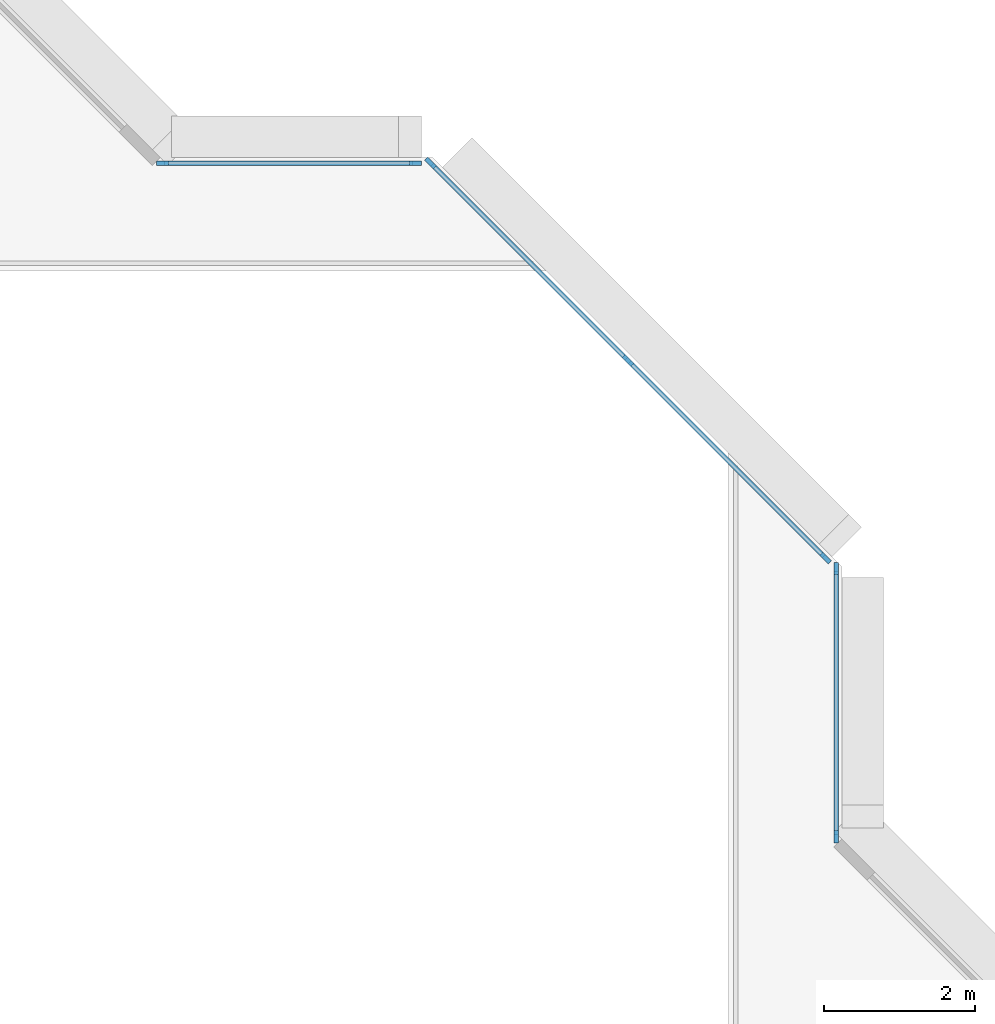
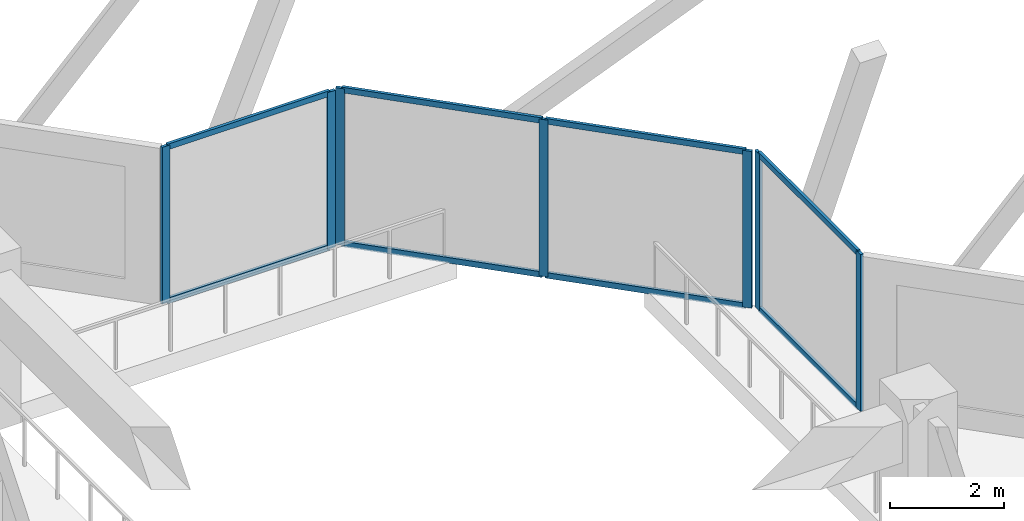
# One storey, part 2 of 15: 15 members, 3 elements without a shape of their own.
"""IFC4 building model written with IfcOpenShell, lengths in metres."""

from ifc_helpers import new_model, si_unit, direction, frame, origin, origin_2d, place, context, subcontext, project, spatial, rectangle, extrude, material, layer, layer_set, material_profile, profile_set, type_object, element, aggregate, save


model = new_model("IFC4")

# Units and contexts
model_context = context("Model", 3, precision=1e-05, world=origin(), true_north=direction((0.0, 1.0)))
body_context = subcontext(model_context, "Body", "Model", "MODEL_VIEW")
ifc_project = project(units=[si_unit("LENGTHUNIT", "METRE"), si_unit("AREAUNIT", "SQUARE_METRE"), si_unit("VOLUMEUNIT", "CUBIC_METRE"), si_unit("PLANEANGLEUNIT", "RADIAN"), si_unit("MASSUNIT", "GRAM", prefix="KILO")], contexts=[model_context])

# Site, building, storey
site_placement = place(None, origin())
site = spatial("IfcSite", under=ifc_project, at=site_placement, CompositionType="ELEMENT")
building_placement = place(site_placement, origin())
building = spatial("IfcBuilding", under=site, at=building_placement, Name="Chenar Terraces", CompositionType="ELEMENT")
storey_placement = place(building_placement, frame((0.0, 0.0, 106.89990234375)))
storey = spatial("IfcBuildingStorey", under=building, at=storey_placement, Name="L24", CompositionType="ELEMENT", Elevation=106.89990234375)

# Curtain wall, members
ifc_material_1 = material(Name="Aluminium framed glazing", Category="aluminium")
ifc_layer = layer(ifc_material_1, 0.14990234375)
ifc_layer_set = layer_set([ifc_layer], Name="Aluminium framed glazing")
curtain_wall_type = type_object("IfcCurtainWallType", Name="Atrium curtain wall", PredefinedType="NOTDEFINED", material=ifc_layer_set)
placement = place(storey_placement, origin())
curtain_wall_1 = element("IfcCurtainWall", 1, at=placement, inside=storey, type_object=curtain_wall_type, Name="Atrium curtain wall", PredefinedType="NOTDEFINED")
ifc_material_2 = material(Name="Aluminium", Category="aluminium")
ifc_material_profile_1 = material_profile(ifc_material_2, rectangle(XDim=0.06005859375, YDim=0.159912109375, at=origin_2d()), Name="Atrium glazing mullion 60 x 160")
ifc_profile_set_1 = profile_set([ifc_material_profile_1], Name="Aluminium")
member_type_1 = type_object("IfcMemberType", Name="Atrium glazing mullion 60 x 160", PredefinedType="MULLION", material=ifc_profile_set_1)
member_1_placement = place(storey_placement, frame((37.425048828125, 28.530029296875, 0.0), z_axis=(0.0, 0.0, 1.0), x_axis=(-1.0, 0.0, 0.0)))
member_1 = element("IfcMember", 2, at=member_1_placement, type_object=member_type_1, Name="CW1-1 mullion 1", PredefinedType="MULLION", context=body_context, shape_type="SweptSolid", body=[
    extrude(rectangle(XDim=0.06005859375, YDim=0.159912109375, at=origin_2d()), origin(), (0.0, 0.0, 1.0), 3.35009765625),
])
member_2_placement = place(storey_placement, frame((37.425048828125, 32.070068359375, 0.0), z_axis=(0.0, 0.0, 1.0), x_axis=(-1.0, 0.0, 0.0)))
member_2 = element("IfcMember", 3, at=member_2_placement, type_object=member_type_1, Name="CW1-1 mullion 2", PredefinedType="MULLION", context=body_context, shape_type="SweptSolid", body=[
    extrude(rectangle(XDim=0.06005859375, YDim=0.159912109375, at=origin_2d()), origin(), (0.0, 0.0, 1.0), 3.35009765625),
])

curtain_wall_2 = element("IfcCurtainWall", 4, at=placement, inside=storey, type_object=curtain_wall_type, Name="Atrium curtain wall", PredefinedType="NOTDEFINED")
member_3_placement = place(storey_placement, frame((37.284423828125, 32.209716796875, 0.0), z_axis=(0.0, 0.0, 1.0), x_axis=(-0.707106781187, -0.707106781187, 0.0)))
member_3 = element("IfcMember", 5, at=member_3_placement, type_object=member_type_1, Name="CW1-2 mullion 1", PredefinedType="MULLION", context=body_context, shape_type="SweptSolid", body=[
    extrude(rectangle(XDim=0.06005859375, YDim=0.159912109375, at=origin_2d()), origin(), (0.0, 0.0, 1.0), 3.35009765625),
])
member_4_placement = place(storey_placement, frame((34.67626953125, 34.817626953125, 0.0), z_axis=(0.0, 0.0, 1.0), x_axis=(-0.707106781187, -0.707106781187, 0.0)))
member_4 = element("IfcMember", 6, at=member_4_placement, type_object=member_type_1, Name="CW1-2 mullion 2", PredefinedType="MULLION", context=body_context, shape_type="SweptSolid", body=[
    extrude(rectangle(XDim=0.06005859375, YDim=0.159912109375, at=origin_2d()), origin(), (0.0, 0.0, 1.0), 3.35009765625),
])
member_5_placement = place(storey_placement, frame((32.068115234375, 37.42578125, 0.0), z_axis=(0.0, 0.0, 1.0), x_axis=(-0.707106781187, -0.707106781187, 0.0)))
member_5 = element("IfcMember", 7, at=member_5_placement, type_object=member_type_1, Name="CW1-2 mullion 3", PredefinedType="MULLION", context=body_context, shape_type="SweptSolid", body=[
    extrude(rectangle(XDim=0.06005859375, YDim=0.159912109375, at=origin_2d()), origin(), (0.0, 0.0, 1.0), 3.35009765625),
])

curtain_wall_3 = element("IfcCurtainWall", 8, at=placement, inside=storey, type_object=curtain_wall_type, Name="Atrium curtain wall", PredefinedType="NOTDEFINED")
member_6_placement = place(storey_placement, frame((31.8701171875, 37.425048828125, 0.0), z_axis=(0.0, 0.0, 1.0), x_axis=(0.0, -1.0, 0.0)))
member_6 = element("IfcMember", 9, at=member_6_placement, type_object=member_type_1, Name="CW1-3 mullion 1", PredefinedType="MULLION", context=body_context, shape_type="SweptSolid", body=[
    extrude(rectangle(XDim=0.06005859375, YDim=0.159912109375, at=origin_2d()), origin(), (0.0, 0.0, 1.0), 3.35009765625),
])
member_7_placement = place(storey_placement, frame((28.530029296875, 37.425048828125, 0.0), z_axis=(0.0, 0.0, 1.0), x_axis=(0.0, -1.0, 0.0)))
member_7 = element("IfcMember", 10, at=member_7_placement, type_object=member_type_1, Name="CW1-3 mullion 2", PredefinedType="MULLION", context=body_context, shape_type="SweptSolid", body=[
    extrude(rectangle(XDim=0.06005859375, YDim=0.159912109375, at=origin_2d()), origin(), (0.0, 0.0, 1.0), 3.35009765625),
])

# Member
ifc_material_3 = material(Name="Aluminium", Category="aluminium")
ifc_material_profile_2 = material_profile(ifc_material_3, rectangle(XDim=0.06005859375, YDim=0.1201171875, at=origin_2d()), Name="Atrium glazing transom 60 x 120")
ifc_profile_set_2 = profile_set([ifc_material_profile_2], Name="Aluminium")
member_type_2 = type_object("IfcMemberType", Name="Atrium glazing transom 60 x 120", PredefinedType="USERDEFINED", material=ifc_profile_set_2)
member_8_placement = place(storey_placement, frame((37.425048828125, 28.56005859375, 0.030029296875), z_axis=(0.0, 1.0, 0.0), x_axis=(-1.0, 0.0, 0.0)))
member_8 = element("IfcMember", 11, at=member_8_placement, type_object=member_type_2, Name="CW1-1 transom 1.1", ObjectType="TRANSOM", PredefinedType="USERDEFINED", context=body_context, shape_type="SweptSolid", body=[
    extrude(rectangle(XDim=0.06005859375, YDim=0.1201171875, at=origin_2d()), origin(), (0.0, 0.0, 1.0), 3.47998046875),
])

member_9_placement = place(storey_placement, frame((37.425048828125, 28.56005859375, 3.320068359375), z_axis=(0.0, 1.0, 0.0), x_axis=(-1.0, 0.0, 0.0)))
member_9 = element("IfcMember", 12, at=member_9_placement, type_object=member_type_2, Name="CW1-1 transom 1.2", ObjectType="TRANSOM", PredefinedType="USERDEFINED", context=body_context, shape_type="SweptSolid", body=[
    extrude(rectangle(XDim=0.06005859375, YDim=0.1201171875, at=origin_2d()), origin(), (0.0, 0.0, 1.0), 3.47998046875),
])

aggregate(curtain_wall_1, [member_1, member_2, member_8, member_9])

member_10_placement = place(storey_placement, frame((37.26318359375, 32.230712890625, 0.030029296875), z_axis=(-0.707106781187, 0.707106781187, 0.0), x_axis=(-0.707106781187, -0.707106781187, 0.0)))
member_10 = element("IfcMember", 13, at=member_10_placement, type_object=member_type_2, Name="CW1-2 transom 1.1", ObjectType="TRANSOM", PredefinedType="USERDEFINED", context=body_context, shape_type="SweptSolid", body=[
    extrude(rectangle(XDim=0.06005859375, YDim=0.1201171875, at=origin_2d()), origin(), (0.0, 0.0, 1.0), 3.62841796875),
])

member_11_placement = place(storey_placement, frame((37.26318359375, 32.230712890625, 3.320068359375), z_axis=(-0.707106781187, 0.707106781187, 0.0), x_axis=(-0.707106781187, -0.707106781187, 0.0)))
member_11 = element("IfcMember", 14, at=member_11_placement, type_object=member_type_2, Name="CW1-2 transom 1.2", ObjectType="TRANSOM", PredefinedType="USERDEFINED", context=body_context, shape_type="SweptSolid", body=[
    extrude(rectangle(XDim=0.06005859375, YDim=0.1201171875, at=origin_2d()), origin(), (0.0, 0.0, 1.0), 3.62841796875),
])

member_12_placement = place(storey_placement, frame((34.655029296875, 34.8388671875, 0.030029296875), z_axis=(-0.707106781187, 0.707106781187, 0.0), x_axis=(-0.707106781187, -0.707106781187, 0.0)))
member_12 = element("IfcMember", 15, at=member_12_placement, type_object=member_type_2, Name="CW1-2 transom 2.1", ObjectType="TRANSOM", PredefinedType="USERDEFINED", context=body_context, shape_type="SweptSolid", body=[
    extrude(rectangle(XDim=0.06005859375, YDim=0.1201171875, at=origin_2d()), origin(), (0.0, 0.0, 1.0), 3.62841796875),
])

member_13_placement = place(storey_placement, frame((34.655029296875, 34.8388671875, 3.320068359375), z_axis=(-0.707106781187, 0.707106781187, 0.0), x_axis=(-0.707106781187, -0.707106781187, 0.0)))
member_13 = element("IfcMember", 16, at=member_13_placement, type_object=member_type_2, Name="CW1-2 transom 2.2", ObjectType="TRANSOM", PredefinedType="USERDEFINED", context=body_context, shape_type="SweptSolid", body=[
    extrude(rectangle(XDim=0.06005859375, YDim=0.1201171875, at=origin_2d()), origin(), (0.0, 0.0, 1.0), 3.62841796875),
])

aggregate(curtain_wall_2, [member_3, member_4, member_5, member_10, member_11, member_12, member_13])

member_14_placement = place(storey_placement, frame((31.840087890625, 37.425048828125, 0.030029296875), z_axis=(-1.0, 0.0, 0.0), x_axis=(0.0, -1.0, 0.0)))
member_14 = element("IfcMember", 17, at=member_14_placement, type_object=member_type_2, Name="CW1-3 transom 1.1", ObjectType="TRANSOM", PredefinedType="USERDEFINED", context=body_context, shape_type="SweptSolid", body=[
    extrude(rectangle(XDim=0.06005859375, YDim=0.1201171875, at=origin_2d()), origin(), (0.0, 0.0, 1.0), 3.280029296875),
])

member_15_placement = place(storey_placement, frame((31.840087890625, 37.425048828125, 3.320068359375), z_axis=(-1.0, 0.0, 0.0), x_axis=(0.0, -1.0, 0.0)))
member_15 = element("IfcMember", 18, at=member_15_placement, type_object=member_type_2, Name="CW1-3 transom 1.2", ObjectType="TRANSOM", PredefinedType="USERDEFINED", context=body_context, shape_type="SweptSolid", body=[
    extrude(rectangle(XDim=0.06005859375, YDim=0.1201171875, at=origin_2d()), origin(), (0.0, 0.0, 1.0), 3.280029296875),
])

aggregate(curtain_wall_3, [member_6, member_7, member_14, member_15])

save(model, "model.ifc")
